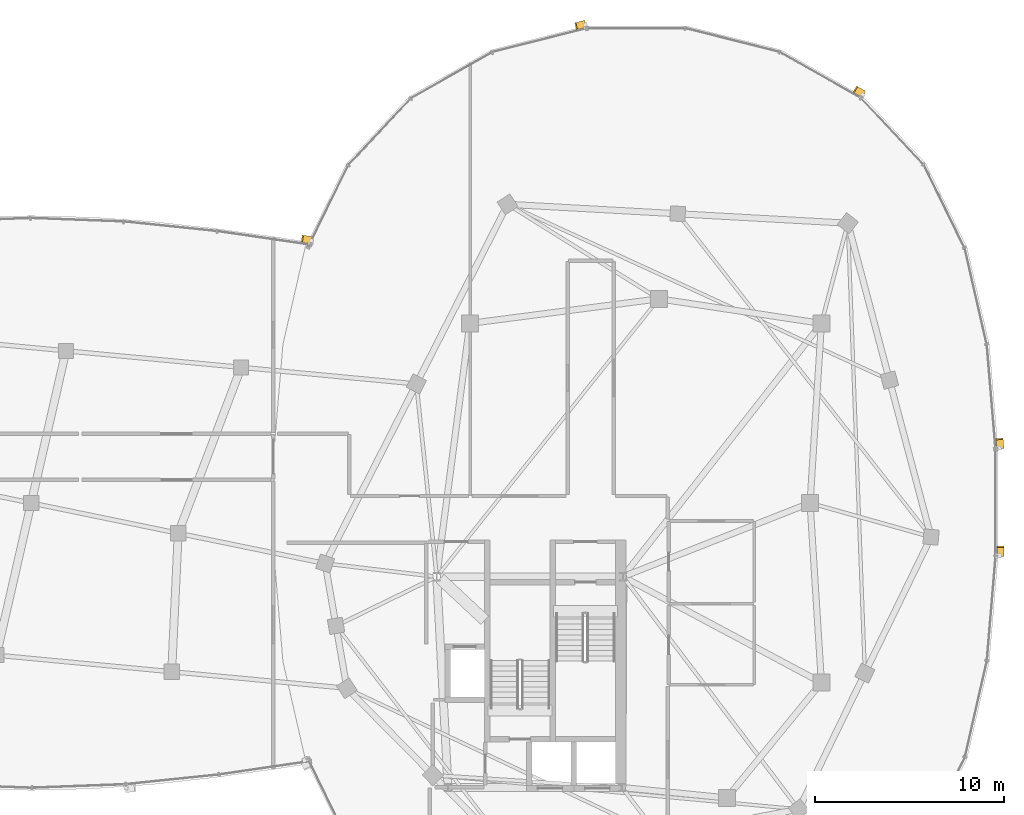
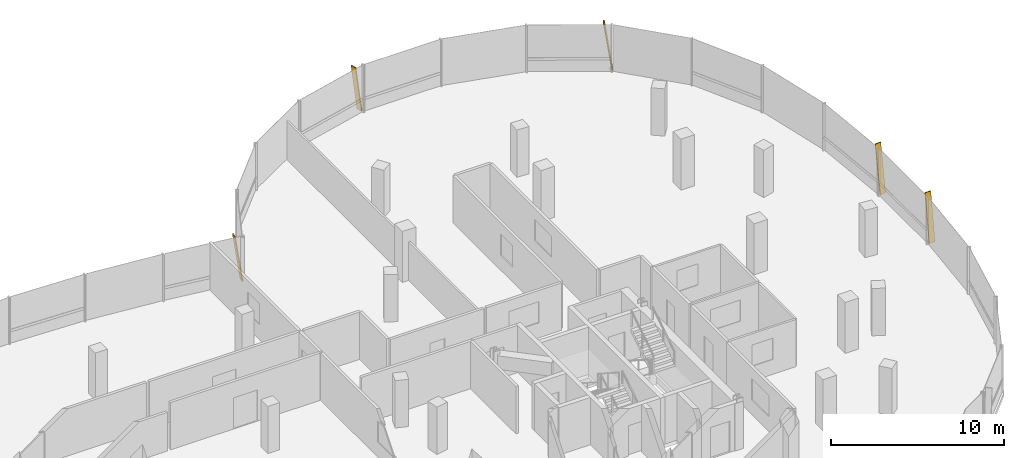
# One storey, part 25 of 25: 5 shading devices.
"""IFC4 building model written with IfcOpenShell, lengths in metres."""

import ifcopenshell
import ifcopenshell.guid

model = None  # the IFC model being written
_history = None  # IfcOwnerHistory: only IFC2X3 demands one
_inside = {}  # id of a spatial element -> (the spatial element, [elements in it])
_under = {}  # id of a project, library or spatial element -> (it, [spatial elements below it])
_declared = {}  # id of a project -> (the project, [libraries it declares])
_typed = {}  # id of a type object -> (the type object, [elements of that type])
_made_of = {}  # id of a material, layer set ... -> (it, [elements and type objects made of it])


def new_model(schema):
    """Start an empty IFC model of exactly this schema.

    Asked for "IFC4X3", IfcOpenShell would pick the latest addendum, in which some entities
    have other attributes; the version numbers below select the first issue.
    IFC2X3 requires an IfcOwnerHistory on every rooted entity: one is made here for all.
    """
    global model, _history
    if schema == "IFC4X3":
        model = ifcopenshell.file(schema_version=(4, 3, 0, 0))
    else:
        model = ifcopenshell.file(schema=schema)
    _inside.clear()
    _under.clear()
    _declared.clear()
    _typed.clear()
    _made_of.clear()
    _history = None
    if model.schema == "IFC2X3":
        org = make("IfcOrganization", Name="unknown")
        user = make(
            "IfcPersonAndOrganization",
            ThePerson=make("IfcPerson", FamilyName="unknown"),
            TheOrganization=org,
        )
        app = make(
            "IfcApplication",
            ApplicationDeveloper=org,
            Version="unknown",
            ApplicationFullName="unknown",
            ApplicationIdentifier="unknown",
        )
        _history = make(
            "IfcOwnerHistory",
            OwningUser=user,
            OwningApplication=app,
            ChangeAction="ADDED",
            CreationDate=0,
        )
    return model


def make(cls, **values):
    """One entity of the class cls with the attributes given. An attribute that is None is left unset."""
    return model.create_entity(
        cls, **{name: value for name, value in values.items() if value is not None}
    )


def rooted(cls, **values):
    """An entity with a GlobalId (a new one), such as an element, a storey or a relation."""
    return make(cls, GlobalId=ifcopenshell.guid.new(), OwnerHistory=_history, **values)


def si_unit(unit_type, name, prefix=None):
    """IfcSIUnit, for example si_unit("LENGTHUNIT", "METRE", prefix="MILLI")."""
    return make("IfcSIUnit", UnitType=unit_type, Prefix=prefix, Name=name)


def assignment(units):
    """IfcUnitAssignment: the units of a project."""
    return None if units is None else make("IfcUnitAssignment", Units=units)


def point(xyz):
    """IfcCartesianPoint."""
    return None if xyz is None else make("IfcCartesianPoint", Coordinates=xyz)


def direction(xyz):
    """IfcDirection."""
    return None if xyz is None else make("IfcDirection", DirectionRatios=xyz)


def frame(location, z_axis=None, x_axis=None):
    """IfcAxis2Placement3D, a coordinate frame: its origin and axes. An axis left out is left unset."""
    return make(
        "IfcAxis2Placement3D",
        Location=point(location),
        Axis=direction(z_axis),
        RefDirection=direction(x_axis),
    )


def frame_2d(location, x_axis=None):
    """IfcAxis2Placement2D, a coordinate frame in the plane: its origin and x axis."""
    return make(
        "IfcAxis2Placement2D", Location=point(location), RefDirection=direction(x_axis)
    )


def origin():
    """The frame at (0, 0, 0) with its axes left unset."""
    return frame((0.0, 0.0, 0.0))


def origin_2d():
    """The frame at (0, 0) in the plane with its x axis left unset."""
    return frame_2d((0.0, 0.0))


def place(relative_to, where):
    """IfcLocalPlacement: puts the frame where relative to a parent placement (None: the world)."""
    return make(
        "IfcLocalPlacement", PlacementRelTo=relative_to, RelativePlacement=where
    )


def context(
    kind, dimensions, precision=None, world=None, true_north=None, identifier=None
):
    """IfcGeometricRepresentationContext, for example the 3D "Model" context."""
    return make(
        "IfcGeometricRepresentationContext",
        ContextIdentifier=identifier,
        ContextType=kind,
        CoordinateSpaceDimension=dimensions,
        Precision=precision,
        WorldCoordinateSystem=world,
        TrueNorth=true_north,
    )


def subcontext(parent, identifier, kind, view, scale=None):
    """IfcGeometricRepresentationSubContext, for example "Body" below "Model"."""
    return make(
        "IfcGeometricRepresentationSubContext",
        ContextIdentifier=identifier,
        ContextType=kind,
        ParentContext=parent,
        TargetScale=scale,
        TargetView=view,
    )


def project(units=None, contexts=None):
    """IfcProject with its units and contexts."""
    return rooted(
        "IfcProject",
        Name="project",
        RepresentationContexts=contexts,
        UnitsInContext=assignment(units),
    )


def spatial(cls, under=None, at=None, **own):
    """A site, building, storey or space (cls), placed at a placement, below another one or the project."""
    s = rooted(cls, ObjectPlacement=at, **own)
    if under is not None:
        _under.setdefault(under.id(), (under, []))[1].append(s)
    return s


def profile(cls, at=None, kind="AREA", **sizes):
    """A parametric profile (cls). Its sizes go by their IFC names, for example OverallWidth=200.0."""
    return make(cls, ProfileType=kind, Position=at, **sizes)


def rectangle(**sizes):
    """IfcRectangleProfileDef."""
    return profile("IfcRectangleProfileDef", **sizes)


def extrude(swept, where, along, depth):
    """IfcExtrudedAreaSolid: the profile swept, set in the frame where, extruded along a direction by depth."""
    return make(
        "IfcExtrudedAreaSolid",
        SweptArea=swept,
        Position=where,
        ExtrudedDirection=direction(along),
        Depth=depth,
    )


def shape(context_of_items, identifier, shape_type, items):
    """IfcShapeRepresentation: the items that make up one representation, for example the "Body"."""
    return make(
        "IfcShapeRepresentation",
        ContextOfItems=context_of_items,
        RepresentationIdentifier=identifier,
        RepresentationType=shape_type,
        Items=items,
    )


def material(Name=None, Category=None):
    """IfcMaterial."""
    return make("IfcMaterial", Name=Name, Category=Category)


def material_profile(
    of_material, cross_section, Name=None, Category=None, Priority=None
):
    """IfcMaterialProfile: a cross section and its material."""
    return make(
        "IfcMaterialProfile",
        Name=Name,
        Material=of_material,
        Profile=cross_section,
        Priority=Priority,
        Category=Category,
    )


def profile_set(profiles, Name=None, composite=None):
    """IfcMaterialProfileSet."""
    return make(
        "IfcMaterialProfileSet",
        Name=Name,
        MaterialProfiles=profiles,
        CompositeProfile=composite,
    )


def made_of(thing, what):
    """Note that an element or type object is made of a material, layer set ...; save() writes the relation."""
    if what is not None:
        _made_of.setdefault(what.id(), (what, []))[1].append(thing)
    return thing


def type_object(cls, material=None, **own):
    """A type object (cls), such as IfcWallType, which elements share."""
    return made_of(rooted(cls, **own), material)


def element(
    cls,
    number,
    at=None,
    inside=None,
    cuts=None,
    type_object=None,
    material=None,
    context=None,
    identifier="Body",
    shape_type=None,
    held_by="IfcProductDefinitionShape",
    body=None,
    shapes=None,
    **own,
):
    """One element of the class cls, such as IfcWall. Its Tag is "e" and its number.

    at: its placement. inside: the storey or other place that contains it. cuts: it is an
    opening in that element (IfcRelVoidsElement). A single representation is given by context,
    identifier, shape_type and body (its items); several are given by shapes. held_by: the class
    of the entity that holds the representations. save() writes the other relations.
    """
    e = rooted(cls, Tag="e%d" % number, ObjectPlacement=at, **own)
    if body is not None:
        shapes = [shape(context, identifier, shape_type, body)]
    if shapes is not None:
        e.Representation = make(held_by, Representations=shapes)
    if inside is not None:
        _inside.setdefault(inside.id(), (inside, []))[1].append(e)
    if cuts is not None:
        rooted(
            "IfcRelVoidsElement", RelatingBuildingElement=cuts, RelatedOpeningElement=e
        )
    if type_object is not None:
        _typed.setdefault(type_object.id(), (type_object, []))[1].append(e)
    return made_of(e, material)


def aggregate(whole, parts):
    """IfcRelAggregates: a whole, such as a stair, and the parts it consists of."""
    return rooted("IfcRelAggregates", RelatingObject=whole, RelatedObjects=parts)


def save(model, path):
    """Write the relations noted so far, then the file.

    IfcRelAggregates (storeys below a building ...), IfcRelContainedInSpatialStructure (elements
    in a storey), IfcRelDefinesByType, IfcRelAssociatesMaterial and IfcRelDeclares: one each for
    every whole, place, type object, material and project.
    """
    for whole, parts in _under.values():
        aggregate(whole, parts)
    for where, things in _inside.values():
        rooted(
            "IfcRelContainedInSpatialStructure",
            RelatedElements=things,
            RelatingStructure=where,
        )
    for kind, things in _typed.values():
        rooted("IfcRelDefinesByType", RelatedObjects=things, RelatingType=kind)
    for what, things in _made_of.values():
        rooted("IfcRelAssociatesMaterial", RelatedObjects=things, RelatingMaterial=what)
    for by, libraries in _declared.values():
        rooted("IfcRelDeclares", RelatingContext=by, RelatedDefinitions=libraries)
    model.write(path)


model = new_model("IFC4")

# Units and contexts
model_context = context("Model", 3, precision=1e-05, world=origin(), true_north=direction((0.0, 1.0)))
body_context = subcontext(model_context, "Body", "Model", "MODEL_VIEW")
ifc_project = project(units=[si_unit("LENGTHUNIT", "METRE"), si_unit("AREAUNIT", "SQUARE_METRE"), si_unit("VOLUMEUNIT", "CUBIC_METRE"), si_unit("PLANEANGLEUNIT", "RADIAN"), si_unit("MASSUNIT", "GRAM", prefix="KILO"), si_unit("THERMODYNAMICTEMPERATUREUNIT", "KELVIN"), si_unit("POWERUNIT", "WATT")], contexts=[model_context])

# Site, building, storey
site_placement = place(None, origin())
site = spatial("IfcSite", under=ifc_project, at=site_placement, CompositionType="ELEMENT")
building_placement = place(site_placement, origin())
building = spatial("IfcBuilding", under=site, at=building_placement, Name="Cundina Bronze Exchange", CompositionType="ELEMENT")
storey_placement = place(building_placement, frame((0.0, 0.0, 272.0)))
storey = spatial("IfcBuildingStorey", under=building, at=storey_placement, Name="L72", CompositionType="ELEMENT", Elevation=272.0)

# Shading devices
ifc_material = material(Name="Anodised Bronze Aluminium 6063-T6", Category="aluminium")
ifc_material_profile = material_profile(ifc_material, rectangle(XDim=0.070068359375, YDim=0.3798828125, at=origin_2d()), Name="FIN70X380", Category="aluminium")
ifc_profile_set = profile_set([ifc_material_profile], Name="Anodised Bronze Aluminium 6063-T6")
shading_device_type = type_object("IfcShadingDeviceType", Name="SHD-FIN-BRZ380", PredefinedType="USERDEFINED", material=ifc_profile_set)
for number, where, z_axis, x_axis, name in (
    (1, (51.26416015625, 2.90625, 0.02001953125), (-0.012006555776, 0.143419772964, 0.98958911238), (0.082555834947, -0.986139516224, 0.143921466983), "L72 Diagonal Bronze Solar Fin 1"),
    (2, (44.0126953125, 21.63720703125, 0.02001953125), (-0.125189514072, 0.071087145125, 0.989582843103), (0.860526986551, -0.488638423358, 0.143964567292), "L72 Diagonal Bronze Solar Fin 5"),
    (3, (29.290771484375, 25.343505859375, 0.02001953125), (-0.139611891367, -0.03514090606, 0.989582556693), (0.959650042543, 0.24154799183, 0.143966536007), "L72 Diagonal Bronze Solar Fin 1"),
    (4, (51.26904296875, -2.79150390625, 0.02001953125), (0.0, 0.143932024572, 0.989587576874), (0.0, -0.989587576874, 0.143932024572), "L72 Diagonal Bronze Solar Fin 5"),
):
    element("IfcShadingDevice", number, at=place(storey_placement, frame(where, z_axis=z_axis, x_axis=x_axis)), inside=storey, type_object=shading_device_type, Name=name, ObjectType="FIN", PredefinedType="USERDEFINED", context=body_context, shape_type="SweptSolid", body=[
        extrude(rectangle(XDim=0.070068359375, YDim=0.3798828125, at=origin_2d()), origin(), (0.0, 0.0, 1.0), 3.334716796875),
    ])
shading_device_placement = place(storey_placement, frame((14.8154296875, 13.90625, 0.02001953125), z_axis=(-0.142891312926, 0.020853614014, 0.989518670603), x_axis=(0.97914638597, -0.142897005969, 0.144404987889)))
element("IfcShadingDevice", 5, at=shading_device_placement, inside=storey, type_object=shading_device_type, Name="L72 Diagonal Bronze Solar Fin 1", ObjectType="FIN", PredefinedType="USERDEFINED", context=body_context, shape_type="SweptSolid", body=[
    extrude(rectangle(XDim=0.070068359375, YDim=0.3798828125, at=origin_2d()), origin(), (0.0, 0.0, 1.0), 3.324951171875),
])

save(model, "model.ifc")
